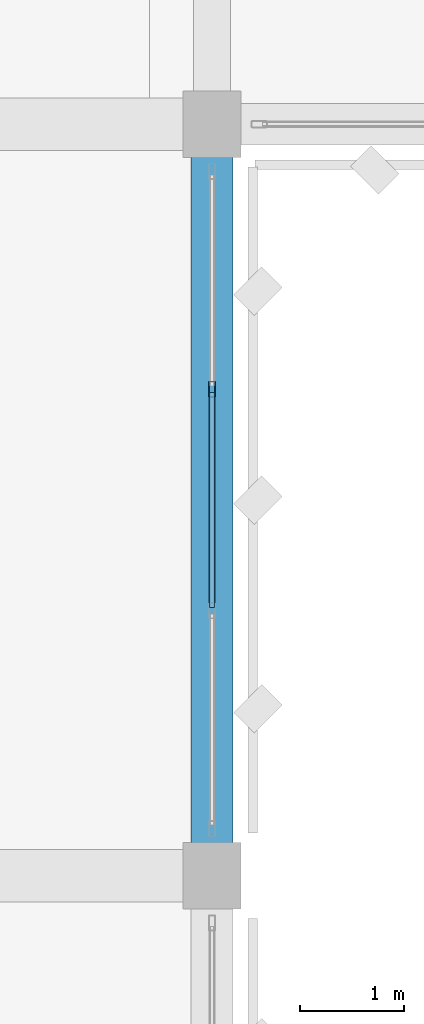
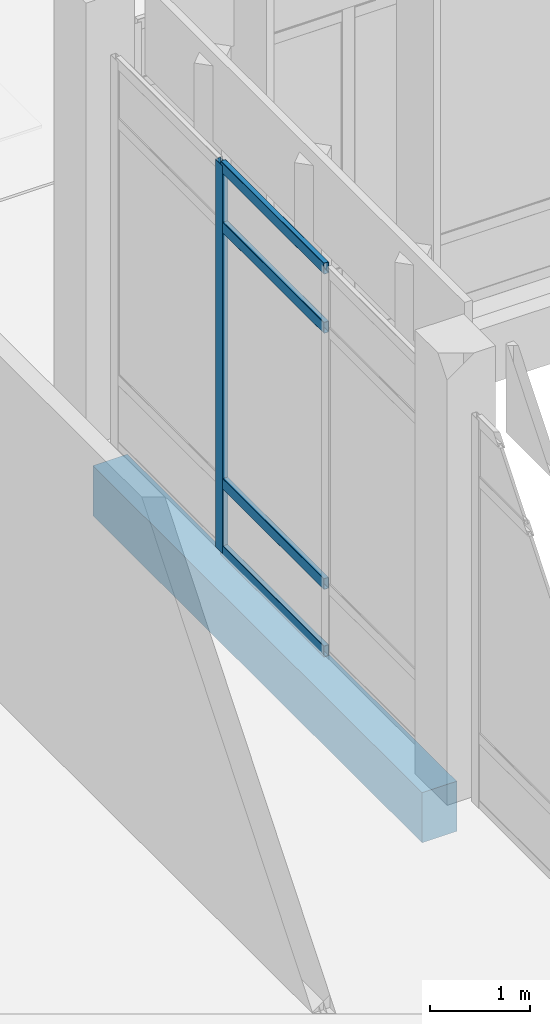
# One storey, part 64 of 180: 5 members, 1 beam, 1 element without a shape of its own.
"""IFC4 building model written with IfcOpenShell, lengths in metres."""

from ifc_helpers import new_model, si_unit, direction, frame, origin, origin_2d, place, context, subcontext, project, spatial, rectangle, hollow_rectangle, extrude, material, material_profile, profile_set, type_object, element, aggregate, save


model = new_model("IFC4")

# Units and contexts
model_context = context("Model", 3, precision=1e-05, world=origin(), true_north=direction((0.0, 1.0)))
body_context = subcontext(model_context, "Body", "Model", "MODEL_VIEW")
ifc_project = project(units=[si_unit("LENGTHUNIT", "METRE"), si_unit("AREAUNIT", "SQUARE_METRE"), si_unit("VOLUMEUNIT", "CUBIC_METRE"), si_unit("PLANEANGLEUNIT", "RADIAN"), si_unit("MASSUNIT", "GRAM", prefix="KILO")], contexts=[model_context])

# Site, building, storey
site_placement = place(None, origin())
site = spatial("IfcSite", under=ifc_project, at=site_placement, CompositionType="ELEMENT")
building_placement = place(site_placement, origin())
building = spatial("IfcBuilding", under=site, at=building_placement, Name="Lusvemor Sports Hall", CompositionType="ELEMENT")
storey_placement = place(building_placement, frame((0.0, 0.0, 5.39990234375)))
storey = spatial("IfcBuildingStorey", under=building, at=storey_placement, Name="L01", CompositionType="ELEMENT", Elevation=5.39990234375)

# Curtain wall, members
ifc_material_1 = material(Name="Thermally broken bronze-anodized aluminium", Category="aluminium")
curtain_wall_type = type_object("IfcCurtainWallType", Name="CW_WING_B", PredefinedType="NOTDEFINED", material=ifc_material_1)
curtain_wall_placement = place(storey_placement, origin())
curtain_wall = element("IfcCurtainWall", 1, at=curtain_wall_placement, inside=storey, type_object=curtain_wall_type, Name="Curtain Wall CW-L01-E-4-6", PredefinedType="NOTDEFINED")
ifc_material_2 = material(Name="Thermally broken bronze-anodized aluminium", Category="aluminium")
ifc_material_profile_1 = material_profile(ifc_material_2, hollow_rectangle(XDim=0.06494140625, YDim=0.14990234375, WallThickness=0.00390625, InnerFilletRadius=0.00390625, OuterFilletRadius=0.008056640625, at=origin_2d()), Name="CWMUL150x65x4")
ifc_profile_set_1 = profile_set([ifc_material_profile_1], Name="Thermally broken bronze-anodized aluminium")
member_type_1 = type_object("IfcMemberType", Name="CW_MUL_B", PredefinedType="MULLION", material=ifc_profile_set_1)
member_1_placement = place(storey_placement, frame((21.60009765625, 94.659912109375, 0.0), z_axis=(0.0, 0.0, 1.0), x_axis=(1.0, 0.0, 0.0)))
member_1 = element("IfcMember", 2, at=member_1_placement, type_object=member_type_1, Name="CW02 mullion 2", PredefinedType="MULLION", context=body_context, shape_type="SweptSolid", body=[
    extrude(hollow_rectangle(XDim=0.06494140625, YDim=0.14990234375, WallThickness=0.00390625, InnerFilletRadius=0.00390625, OuterFilletRadius=0.008056640625, at=origin_2d()), origin(), (0.0, 0.0, 1.0), 4.72021484375),
])
ifc_material_3 = material(Name="Thermally broken bronze-anodized aluminium", Category="aluminium")
ifc_material_profile_2 = material_profile(ifc_material_3, hollow_rectangle(XDim=0.06005859375, YDim=0.135009765625, WallThickness=0.00390625, InnerFilletRadius=0.00390625, OuterFilletRadius=0.008056640625, at=origin_2d()), Name="CWTRN135x60x4")
ifc_profile_set_2 = profile_set([ifc_material_profile_2], Name="Thermally broken bronze-anodized aluminium")
member_type_2 = type_object("IfcMemberType", Name="CW_TRN_B", PredefinedType="USERDEFINED", material=ifc_profile_set_2)
member_2_placement = place(storey_placement, frame((21.60009765625, 94.62744140625, 0.030029296875), z_axis=(0.0, -1.0, 0.0), x_axis=(1.0, 0.0, 0.0)))
member_2 = element("IfcMember", 3, at=member_2_placement, type_object=member_type_2, Name="CW02 transom 2.1", ObjectType="TRANSOM", PredefinedType="USERDEFINED", context=body_context, shape_type="SweptSolid", body=[
    extrude(hollow_rectangle(XDim=0.06005859375, YDim=0.135009765625, WallThickness=0.00390625, InnerFilletRadius=0.00390625, OuterFilletRadius=0.008056640625, at=origin_2d()), origin(), (0.0, 0.0, 1.0), 2.054931640625),
])
member_3_placement = place(storey_placement, frame((21.60009765625, 94.62744140625, 0.85009765625), z_axis=(0.0, -1.0, 0.0), x_axis=(1.0, 0.0, 0.0)))
member_3 = element("IfcMember", 4, at=member_3_placement, type_object=member_type_2, Name="CW02 transom 2.2", ObjectType="TRANSOM", PredefinedType="USERDEFINED", context=body_context, shape_type="SweptSolid", body=[
    extrude(hollow_rectangle(XDim=0.06005859375, YDim=0.135009765625, WallThickness=0.00390625, InnerFilletRadius=0.00390625, OuterFilletRadius=0.008056640625, at=origin_2d()), origin(), (0.0, 0.0, 1.0), 2.054931640625),
])
member_4_placement = place(storey_placement, frame((21.60009765625, 94.62744140625, 3.97021484375), z_axis=(0.0, -1.0, 0.0), x_axis=(1.0, 0.0, 0.0)))
member_4 = element("IfcMember", 5, at=member_4_placement, type_object=member_type_2, Name="CW02 transom 2.3", ObjectType="TRANSOM", PredefinedType="USERDEFINED", context=body_context, shape_type="SweptSolid", body=[
    extrude(hollow_rectangle(XDim=0.06005859375, YDim=0.135009765625, WallThickness=0.00390625, InnerFilletRadius=0.00390625, OuterFilletRadius=0.008056640625, at=origin_2d()), origin(), (0.0, 0.0, 1.0), 2.054931640625),
])
member_5_placement = place(storey_placement, frame((21.60009765625, 94.62744140625, 4.690185546875), z_axis=(0.0, -1.0, 0.0), x_axis=(1.0, 0.0, 0.0)))
member_5 = element("IfcMember", 6, at=member_5_placement, type_object=member_type_2, Name="CW02 transom 2.4", ObjectType="TRANSOM", PredefinedType="USERDEFINED", context=body_context, shape_type="SweptSolid", body=[
    extrude(hollow_rectangle(XDim=0.06005859375, YDim=0.135009765625, WallThickness=0.00390625, InnerFilletRadius=0.00390625, OuterFilletRadius=0.008056640625, at=origin_2d()), origin(), (0.0, 0.0, 1.0), 2.054931640625),
])
aggregate(curtain_wall, [member_1, member_2, member_3, member_4, member_5])

# Beam
ifc_material_4 = material(Name="Concrete C40/50", Category="concrete")
ifc_material_profile_3 = material_profile(ifc_material_4, rectangle(XDim=0.39990234375, YDim=0.610107421875, at=origin_2d()), Name="RC400x610")
ifc_profile_set_3 = profile_set([ifc_material_profile_3], Name="Concrete C40/50")
beam_type = type_object("IfcBeamType", Name="SPAND_EXT_650", PredefinedType="SPANDREL", material=ifc_profile_set_3)
beam_placement = place(storey_placement, frame((21.60009765625, 90.31591796875, -0.56494140625), z_axis=(0.0, 1.0, 0.0), x_axis=(-1.0, 0.0, 0.0)))
element("IfcBeam", 7, at=beam_placement, inside=storey, type_object=beam_type, Name="Beam L01 3:M-N", PredefinedType="SPANDREL", context=body_context, shape_type="SweptSolid", body=[
    extrude(rectangle(XDim=0.39990234375, YDim=0.610107421875, at=origin_2d()), origin(), (0.0, 0.0, 1.0), 6.568115234375),
])

save(model, "model.ifc")
